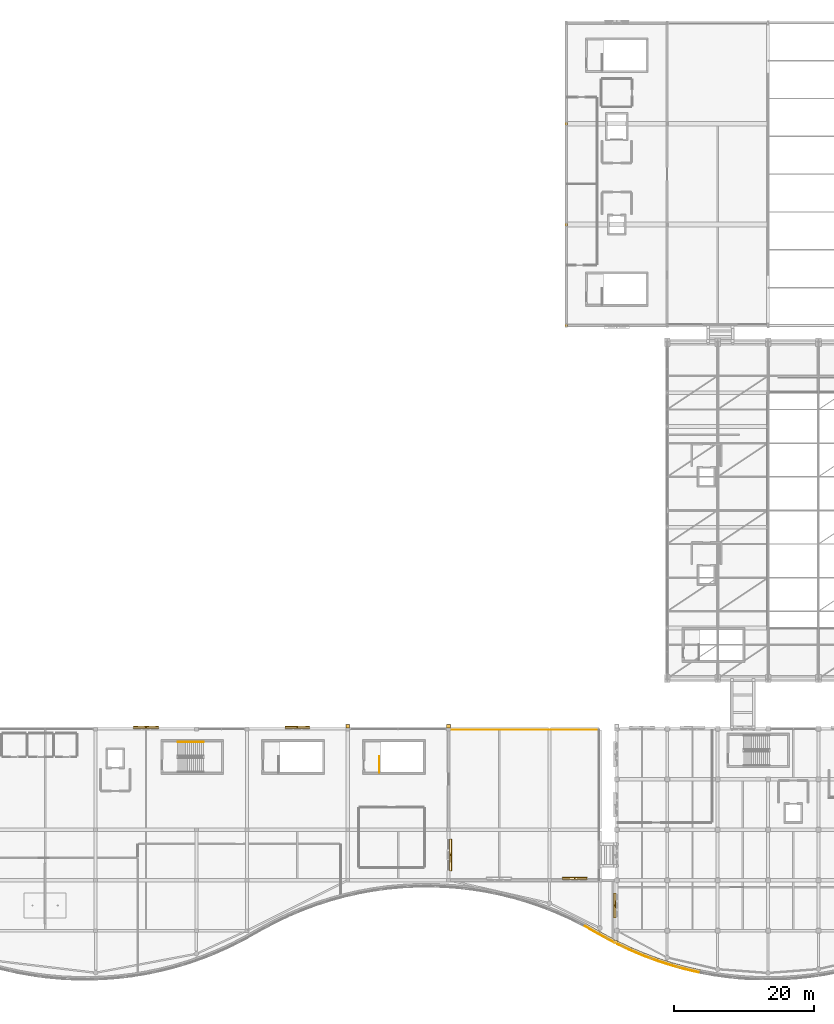
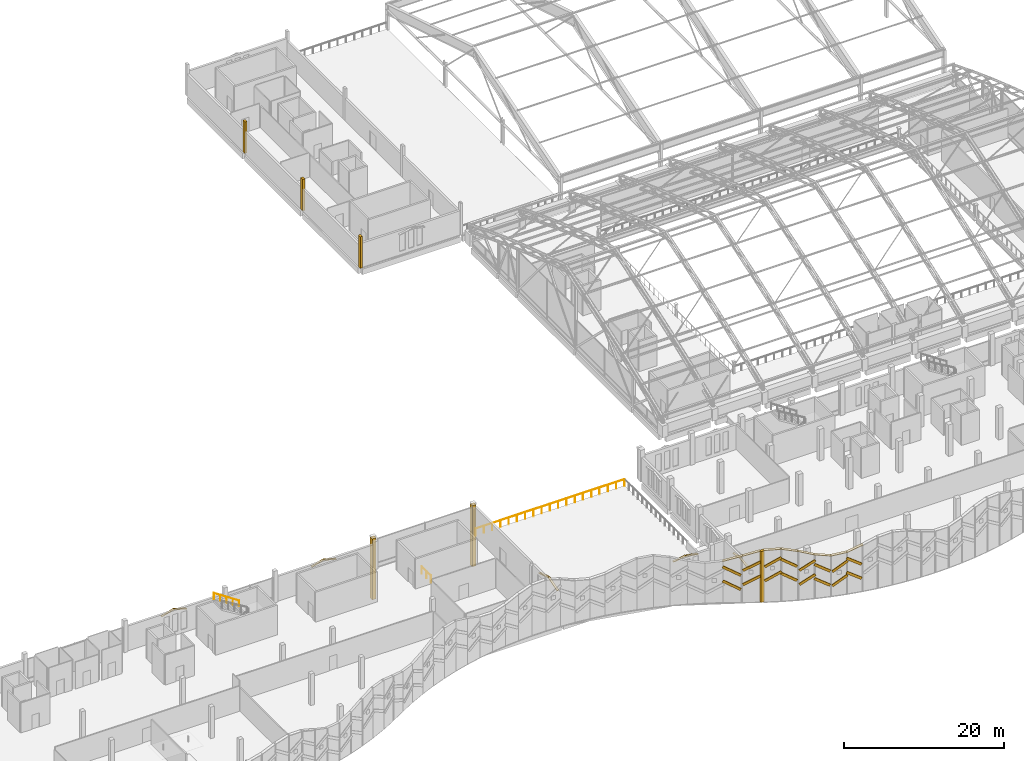
# One storey, part 109 of 116: 40 coverings, 3 railings.
"""IFC4 building model written with IfcOpenShell, lengths in metres."""

import ifcopenshell
import ifcopenshell.guid

model = None  # the IFC model being written
_history = None  # IfcOwnerHistory: only IFC2X3 demands one
_inside = {}  # id of a spatial element -> (the spatial element, [elements in it])
_under = {}  # id of a project, library or spatial element -> (it, [spatial elements below it])
_declared = {}  # id of a project -> (the project, [libraries it declares])
_typed = {}  # id of a type object -> (the type object, [elements of that type])
_made_of = {}  # id of a material, layer set ... -> (it, [elements and type objects made of it])


def new_model(schema):
    """Start an empty IFC model of exactly this schema.

    Asked for "IFC4X3", IfcOpenShell would pick the latest addendum, in which some entities
    have other attributes; the version numbers below select the first issue.
    IFC2X3 requires an IfcOwnerHistory on every rooted entity: one is made here for all.
    """
    global model, _history
    if schema == "IFC4X3":
        model = ifcopenshell.file(schema_version=(4, 3, 0, 0))
    else:
        model = ifcopenshell.file(schema=schema)
    _inside.clear()
    _under.clear()
    _declared.clear()
    _typed.clear()
    _made_of.clear()
    _history = None
    if model.schema == "IFC2X3":
        org = make("IfcOrganization", Name="unknown")
        user = make(
            "IfcPersonAndOrganization",
            ThePerson=make("IfcPerson", FamilyName="unknown"),
            TheOrganization=org,
        )
        app = make(
            "IfcApplication",
            ApplicationDeveloper=org,
            Version="unknown",
            ApplicationFullName="unknown",
            ApplicationIdentifier="unknown",
        )
        _history = make(
            "IfcOwnerHistory",
            OwningUser=user,
            OwningApplication=app,
            ChangeAction="ADDED",
            CreationDate=0,
        )
    return model


def make(cls, **values):
    """One entity of the class cls with the attributes given. An attribute that is None is left unset."""
    return model.create_entity(
        cls, **{name: value for name, value in values.items() if value is not None}
    )


def rooted(cls, **values):
    """An entity with a GlobalId (a new one), such as an element, a storey or a relation."""
    return make(cls, GlobalId=ifcopenshell.guid.new(), OwnerHistory=_history, **values)


def si_unit(unit_type, name, prefix=None):
    """IfcSIUnit, for example si_unit("LENGTHUNIT", "METRE", prefix="MILLI")."""
    return make("IfcSIUnit", UnitType=unit_type, Prefix=prefix, Name=name)


def assignment(units):
    """IfcUnitAssignment: the units of a project."""
    return None if units is None else make("IfcUnitAssignment", Units=units)


def point(xyz):
    """IfcCartesianPoint."""
    return None if xyz is None else make("IfcCartesianPoint", Coordinates=xyz)


def direction(xyz):
    """IfcDirection."""
    return None if xyz is None else make("IfcDirection", DirectionRatios=xyz)


def frame(location, z_axis=None, x_axis=None):
    """IfcAxis2Placement3D, a coordinate frame: its origin and axes. An axis left out is left unset."""
    return make(
        "IfcAxis2Placement3D",
        Location=point(location),
        Axis=direction(z_axis),
        RefDirection=direction(x_axis),
    )


def frame_2d(location, x_axis=None):
    """IfcAxis2Placement2D, a coordinate frame in the plane: its origin and x axis."""
    return make(
        "IfcAxis2Placement2D", Location=point(location), RefDirection=direction(x_axis)
    )


def origin():
    """The frame at (0, 0, 0) with its axes left unset."""
    return frame((0.0, 0.0, 0.0))


def origin_2d():
    """The frame at (0, 0) in the plane with its x axis left unset."""
    return frame_2d((0.0, 0.0))


def place(relative_to, where):
    """IfcLocalPlacement: puts the frame where relative to a parent placement (None: the world)."""
    return make(
        "IfcLocalPlacement", PlacementRelTo=relative_to, RelativePlacement=where
    )


def context(
    kind, dimensions, precision=None, world=None, true_north=None, identifier=None
):
    """IfcGeometricRepresentationContext, for example the 3D "Model" context."""
    return make(
        "IfcGeometricRepresentationContext",
        ContextIdentifier=identifier,
        ContextType=kind,
        CoordinateSpaceDimension=dimensions,
        Precision=precision,
        WorldCoordinateSystem=world,
        TrueNorth=true_north,
    )


def subcontext(parent, identifier, kind, view, scale=None):
    """IfcGeometricRepresentationSubContext, for example "Body" below "Model"."""
    return make(
        "IfcGeometricRepresentationSubContext",
        ContextIdentifier=identifier,
        ContextType=kind,
        ParentContext=parent,
        TargetScale=scale,
        TargetView=view,
    )


def project(units=None, contexts=None):
    """IfcProject with its units and contexts."""
    return rooted(
        "IfcProject",
        Name="project",
        RepresentationContexts=contexts,
        UnitsInContext=assignment(units),
    )


def spatial(cls, under=None, at=None, **own):
    """A site, building, storey or space (cls), placed at a placement, below another one or the project."""
    s = rooted(cls, ObjectPlacement=at, **own)
    if under is not None:
        _under.setdefault(under.id(), (under, []))[1].append(s)
    return s


def polyline(points):
    """IfcPolyline through the points."""
    return make("IfcPolyline", Points=[point(p) for p in points])


def profile(cls, at=None, kind="AREA", **sizes):
    """A parametric profile (cls). Its sizes go by their IFC names, for example OverallWidth=200.0."""
    return make(cls, ProfileType=kind, Position=at, **sizes)


def circle(**sizes):
    """IfcCircleProfileDef."""
    return profile("IfcCircleProfileDef", **sizes)


def outline(outer, holes=None, kind="AREA"):
    """IfcArbitraryClosedProfileDef: a profile drawn as a closed curve; with holes, ...WithVoids."""
    if holes is None:
        return make("IfcArbitraryClosedProfileDef", ProfileType=kind, OuterCurve=outer)
    return make(
        "IfcArbitraryProfileDefWithVoids",
        ProfileType=kind,
        OuterCurve=outer,
        InnerCurves=holes,
    )


def extrude(swept, where, along, depth):
    """IfcExtrudedAreaSolid: the profile swept, set in the frame where, extruded along a direction by depth."""
    return make(
        "IfcExtrudedAreaSolid",
        SweptArea=swept,
        Position=where,
        ExtrudedDirection=direction(along),
        Depth=depth,
    )


def shape(context_of_items, identifier, shape_type, items):
    """IfcShapeRepresentation: the items that make up one representation, for example the "Body"."""
    return make(
        "IfcShapeRepresentation",
        ContextOfItems=context_of_items,
        RepresentationIdentifier=identifier,
        RepresentationType=shape_type,
        Items=items,
    )


def material(Name=None, Category=None):
    """IfcMaterial."""
    return make("IfcMaterial", Name=Name, Category=Category)


def layer(
    of_material, thickness, ventilated=None, Name=None, Category=None, Priority=None
):
    """IfcMaterialLayer: one layer of a wall or slab, of a material (None: an air gap)."""
    return make(
        "IfcMaterialLayer",
        Material=of_material,
        LayerThickness=thickness,
        IsVentilated=ventilated,
        Name=Name,
        Category=Category,
        Priority=Priority,
    )


def layer_set(layers, Name=None):
    """IfcMaterialLayerSet."""
    return make("IfcMaterialLayerSet", MaterialLayers=layers, LayerSetName=Name)


def made_of(thing, what):
    """Note that an element or type object is made of a material, layer set ...; save() writes the relation."""
    if what is not None:
        _made_of.setdefault(what.id(), (what, []))[1].append(thing)
    return thing


def type_object(cls, material=None, **own):
    """A type object (cls), such as IfcWallType, which elements share."""
    return made_of(rooted(cls, **own), material)


def element(
    cls,
    number,
    at=None,
    inside=None,
    cuts=None,
    type_object=None,
    material=None,
    context=None,
    identifier="Body",
    shape_type=None,
    held_by="IfcProductDefinitionShape",
    body=None,
    shapes=None,
    **own,
):
    """One element of the class cls, such as IfcWall. Its Tag is "e" and its number.

    at: its placement. inside: the storey or other place that contains it. cuts: it is an
    opening in that element (IfcRelVoidsElement). A single representation is given by context,
    identifier, shape_type and body (its items); several are given by shapes. held_by: the class
    of the entity that holds the representations. save() writes the other relations.
    """
    e = rooted(cls, Tag="e%d" % number, ObjectPlacement=at, **own)
    if body is not None:
        shapes = [shape(context, identifier, shape_type, body)]
    if shapes is not None:
        e.Representation = make(held_by, Representations=shapes)
    if inside is not None:
        _inside.setdefault(inside.id(), (inside, []))[1].append(e)
    if cuts is not None:
        rooted(
            "IfcRelVoidsElement", RelatingBuildingElement=cuts, RelatedOpeningElement=e
        )
    if type_object is not None:
        _typed.setdefault(type_object.id(), (type_object, []))[1].append(e)
    return made_of(e, material)


def aggregate(whole, parts):
    """IfcRelAggregates: a whole, such as a stair, and the parts it consists of."""
    return rooted("IfcRelAggregates", RelatingObject=whole, RelatedObjects=parts)


def save(model, path):
    """Write the relations noted so far, then the file.

    IfcRelAggregates (storeys below a building ...), IfcRelContainedInSpatialStructure (elements
    in a storey), IfcRelDefinesByType, IfcRelAssociatesMaterial and IfcRelDeclares: one each for
    every whole, place, type object, material and project.
    """
    for whole, parts in _under.values():
        aggregate(whole, parts)
    for where, things in _inside.values():
        rooted(
            "IfcRelContainedInSpatialStructure",
            RelatedElements=things,
            RelatingStructure=where,
        )
    for kind, things in _typed.values():
        rooted("IfcRelDefinesByType", RelatedObjects=things, RelatingType=kind)
    for what, things in _made_of.values():
        rooted("IfcRelAssociatesMaterial", RelatedObjects=things, RelatingMaterial=what)
    for by, libraries in _declared.values():
        rooted("IfcRelDeclares", RelatingContext=by, RelatedDefinitions=libraries)
    model.write(path)


model = new_model("IFC4")

# Units and contexts
model_context = context("Model", 3, precision=1e-05, world=origin(), true_north=direction((0.0, 1.0)))
body_context = subcontext(model_context, "Body", "Model", "MODEL_VIEW")
ifc_project = project(units=[si_unit("LENGTHUNIT", "METRE"), si_unit("AREAUNIT", "SQUARE_METRE"), si_unit("VOLUMEUNIT", "CUBIC_METRE"), si_unit("PLANEANGLEUNIT", "RADIAN"), si_unit("MASSUNIT", "GRAM", prefix="KILO")], contexts=[model_context])

# Site, building, storey
site_placement = place(None, origin())
site = spatial("IfcSite", under=ifc_project, at=site_placement, CompositionType="ELEMENT")
building_placement = place(site_placement, origin())
building = spatial("IfcBuilding", under=site, at=building_placement, Name="Cendralis Lancet Convention Centre", CompositionType="ELEMENT")
storey_placement = place(building_placement, frame((0.0, 0.0, 15.0)))
storey = spatial("IfcBuildingStorey", under=building, at=storey_placement, Name="L03", CompositionType="ELEMENT", Elevation=15.0)

# Coverings
ifc_material_1 = material(Name="Warm buff sandstone chevron cassette", Category="masonry")
ifc_layer_1 = layer(ifc_material_1, 0.06005859375, Name="Warm buff sandstone chevron cassette")
ifc_layer_set_1 = layer_set([ifc_layer_1], Name="Warm buff sandstone chevron cassette")
covering_type_1 = type_object("IfcCoveringType", Name="ARC-CV-CLAD1", PredefinedType="CLADDING", material=ifc_layer_set_1)
covering_1_placement = place(storey_placement, frame((127.493896484375, 7.744873046875, 3.470947265625), z_axis=(0.43519160161, -0.24701564122, 0.86578954884), x_axis=(0.752668265034, -0.427880952395, -0.500408206756)))
element("IfcCovering", 1, at=covering_1_placement, inside=storey, type_object=covering_type_1, Name="L03 Diagonal Stone Chevron Relief CL-ST1 #0383", PredefinedType="CLADDING", context=body_context, shape_type="SweptSolid", body=[
    extrude(outline(polyline([(0.0, 0.0), (2.597884719698433, -4.85722573273506e-17), (2.5979129642696104, 0.11010524008823802), (-0.00015551232946595106, 0.10998461911392274), (0.0, 0.0)])), origin(), (0.0, 0.0, -1.0), 0.360107421875),
])
covering_2_placement = place(storey_placement, frame((129.523681640625, 6.592041015625, 2.89501953125), z_axis=(-0.443383844109, 0.240726076979, 0.8634012524), x_axis=(0.758529479804, -0.412425534048, 0.504517796647)))
element("IfcCovering", 2, at=covering_2_placement, inside=storey, type_object=covering_type_1, Name="L03 Diagonal Stone Chevron Relief CL-ST1 #0389", PredefinedType="CLADDING", context=body_context, shape_type="SweptSolid", body=[
    extrude(outline(polyline([(0.0, 0.0), (2.576814607462595, -5.898059818321144e-17), (2.57675682588909, 0.11000992383021563), (-5.7781573504639416e-05, 0.11000992383021567), (0.0, 0.0)])), origin(), (0.0, 0.0, -1.0), 0.360107421875),
])
covering_3_placement = place(storey_placement, frame((131.922607421875, 5.303466796875, 3.405029296875), z_axis=(-0.475722680039, 0.225588396185, 0.85017516266), x_axis=(0.768146115282, -0.364347848476, 0.526499943863)))
element("IfcCovering", 3, at=covering_3_placement, inside=storey, type_object=covering_type_1, Name="L03 Diagonal Stone Chevron Relief CL-ST1 #0395", PredefinedType="CLADDING", context=body_context, shape_type="SweptSolid", body=[
    extrude(outline(polyline([(0.0, 0.0), (2.469228806721707, -3.105561597813167e-17), (2.46921968219033, 0.10997119228407112), (-9.124531377482925e-06, 0.1099711922840711), (0.0, 0.0)])), origin(), (0.0, 0.0, -1.0), 0.360107421875),
])
covering_4_placement = place(storey_placement, frame((133.903076171875, 4.3662109375, 4.47412109375), z_axis=(0.492533000952, -0.207444705575, 0.845208812721), x_axis=(0.779104660725, -0.327679594694, -0.53443616163)))
element("IfcCovering", 4, at=covering_4_placement, inside=storey, type_object=covering_type_1, Name="L03 Diagonal Stone Chevron Relief CL-ST1 #0401", PredefinedType="CLADDING", context=body_context, shape_type="SweptSolid", body=[
    extrude(outline(polyline([(0.0, 0.0), (2.4326015426180643, -5.97395397039513e-17), (2.4326085260737225, 0.11018317912676806), (8.698335670653812e-05, 0.10995814651646971), (0.0, 0.0)])), origin(), (0.0, 0.0, -1.0), 0.360107421875),
])
covering_5_placement = place(storey_placement, frame((135.8837890625, 3.535400390625, 2.52587890625), z_axis=(-0.507780276256, 0.18726648486, 0.840886707407), x_axis=(0.788897872123, -0.291085223623, 0.541211178698)))
element("IfcCovering", 5, at=covering_5_placement, inside=storey, type_object=covering_type_1, Name="L03 Diagonal Stone Chevron Relief CL-ST1 #0407", PredefinedType="CLADDING", context=body_context, shape_type="SweptSolid", body=[
    extrude(outline(polyline([(0.0, 0.0), (2.402110080674847, -4.255493527005605e-17), (2.40209519260325, 0.11007060415303944), (-1.488807159711475e-05, 0.11007060415303944), (0.0, 0.0)])), origin(), (0.0, 0.0, -1.0), 0.360107421875),
])
covering_6_placement = place(storey_placement, frame((137.864990234375, 2.806396484375, 3.2099609375), z_axis=(0.521034863951, -0.167605620572, 0.836917574496), x_axis=(0.7968902502, -0.25572848478, -0.547328851066)))
element("IfcCovering", 6, at=covering_6_placement, inside=storey, type_object=covering_type_1, Name="L03 Diagonal Stone Chevron Relief CL-ST1 #0413", PredefinedType="CLADDING", context=body_context, shape_type="SweptSolid", body=[
    extrude(outline(polyline([(0.0, 0.0), (2.375260915980276, 1.6333505728494124e-16), (2.375325206643625, 0.11002183942709215), (6.42906633486727e-05, 0.11002183942709198), (0.0, 0.0)])), origin(), (0.0, 0.0, -1.0), 0.360107421875),
])
covering_7_placement = place(storey_placement, frame((139.845458984375, 2.1728515625, 1.760009765625), z_axis=(-0.532755676601, 0.14607816939, 0.833566168626), x_axis=(0.80388726302, -0.220449146202, 0.552419625188)))
element("IfcCovering", 7, at=covering_7_placement, inside=storey, type_object=covering_type_1, Name="L03 Diagonal Stone Chevron Relief CL-ST1 #0419", PredefinedType="CLADDING", context=body_context, shape_type="SweptSolid", body=[
    extrude(outline(polyline([(0.0, 0.0), (2.3533719094111722, 2.0837010502455788e-17), (2.353368895458001, 0.10986789265701721), (-3.0139531707260026e-06, 0.10986789265701727), (0.0, 0.0)])), origin(), (0.0, 0.0, -1.0), 0.360107421875),
])
covering_8_placement = place(storey_placement, frame((141.82568359375, 1.6318359375, 3.488037109375), z_axis=(0.542527889255, -0.124676488771, 0.830734170796), x_axis=(0.809746338666, -0.185553799789, -0.556669250454)))
element("IfcCovering", 8, at=covering_8_placement, inside=storey, type_object=covering_type_1, Name="L03 Diagonal Stone Chevron Relief CL-ST1 #0425", PredefinedType="CLADDING", context=body_context, shape_type="SweptSolid", body=[
    extrude(outline(polyline([(0.0, 0.0), (2.3354289288572163, -1.1069704181077e-16), (2.3354632814690657, 0.1102156286473947), (7.965383250090746e-05, 0.10997766659986817), (0.0, 0.0)])), origin(), (0.0, 0.0, -1.0), 0.360107421875),
])
covering_9_placement = place(storey_placement, origin())
element("IfcCovering", 9, at=covering_9_placement, inside=storey, type_object=covering_type_1, Name="L03 Wave Ribbon 200mm Seismic-Joint Stone Cover Strip", PredefinedType="CLADDING", context=body_context, shape_type="SweptSolid", body=[
    extrude(outline(polyline([(131.5400390625, 5.431396484375), (132.080078125, 5.431396484375), (132.080078125, 5.8115234375), (131.5400390625, 5.8115234375), (131.5400390625, 5.431396484375)])), origin(), (0.0, 0.0, 1.0), 7.77490234375),
])
for number, where, z_axis, x_axis, name in (
    (10, (63.0, 36.419921875, 3.27001953125), (-0.261446137658, 0.0, 0.965218067125), (0.0, -1.0, 0.0), "L03 Gothic Pointed Lancet Hood-Mould #0285L"),
    (11, (64.81005859375, 36.419921875, 3.7548828125), (0.261446137658, 0.0, 0.965218067125), (0.0, -1.0, 0.0), "L03 Gothic Pointed Lancet Hood-Mould #0286R"),
):
    element("IfcCovering", number, at=place(storey_placement, frame(where, z_axis=z_axis, x_axis=x_axis)), inside=storey, type_object=covering_type_1, Name=name, PredefinedType="CLADDING", context=body_context, shape_type="SweptSolid", body=[
        extrude(outline(polyline([(0.0, 0.0), (0.284912109375, 0.0), (0.284912109375, 1.854543676158746), (0.0, 1.854543676158746), (0.0, 0.0)])), origin(), (0.0, 0.0, -1.0), 0.090087890625),
    ])
for number, where, z_axis, x_axis, name in (
    (12, (84.639892578125, 36.419921875, 3.27001953125), (-0.267005870064, 0.0, 0.963694902628), (0.0, -1.0, 0.0), "L03 Gothic Pointed Lancet Hood-Mould #0287L"),
    (13, (86.409912109375, 36.419921875, 3.7548828125), (0.267005870064, 0.0, 0.963694902628), (0.0, -1.0, 0.0), "L03 Gothic Pointed Lancet Hood-Mould #0288R"),
):
    element("IfcCovering", number, at=place(storey_placement, frame(where, z_axis=z_axis, x_axis=x_axis)), inside=storey, type_object=covering_type_1, Name=name, PredefinedType="CLADDING", context=body_context, shape_type="SweptSolid", body=[
        extrude(outline(polyline([(0.0, 0.0), (0.284912109375, 0.0), (0.284912109375, 1.8159274218714019), (0.0, 1.8159274218714019), (0.0, 0.0)])), origin(), (0.0, 0.0, -1.0), 0.090087890625),
    ])
for number, where, z_axis, x_axis, name in (
    (14, (124.239990234375, 14.820068359375, 3.27001953125), (-0.149662363498, 0.0, 0.988737162724), (0.0, -1.0, 0.0), "L03 Gothic Pointed Lancet Hood-Mould #0299L"),
    (15, (126.010009765625, 14.820068359375, 3.534912109375), (0.149662363498, 0.0, 0.988737162724), (0.0, -1.0, 0.0), "L03 Gothic Pointed Lancet Hood-Mould #0300R"),
):
    element("IfcCovering", number, at=place(storey_placement, frame(where, z_axis=z_axis, x_axis=x_axis)), inside=storey, type_object=covering_type_1, Name=name, PredefinedType="CLADDING", context=body_context, shape_type="SweptSolid", body=[
        extrude(outline(polyline([(0.0, 0.0), (0.28515625, 0.0), (0.28515625, 1.769934484082874), (0.0, 1.769934484082874), (0.0, 0.0)])), origin(), (0.0, 0.0, -1.0), 0.090087890625),
    ])
for number, where, z_axis, x_axis, name in (
    (16, (108.419921875, 20.260009765625, 3.800048828125), (0.0, 0.285362773646, 0.95841957796), (-1.0, 0.0, 0.0), "L03 Gothic Pointed Lancet Hood-Mould #0301L"),
    (17, (108.419921875, 17.989990234375, 4.469970703125), (0.0, -0.285362773646, 0.95841957796), (-1.0, 0.0, 0.0), "L03 Gothic Pointed Lancet Hood-Mould #0302R"),
):
    element("IfcCovering", number, at=place(storey_placement, frame(where, z_axis=z_axis, x_axis=x_axis)), inside=storey, type_object=covering_type_1, Name=name, PredefinedType="CLADDING", context=body_context, shape_type="SweptSolid", body=[
        extrude(outline(polyline([(0.0, 0.0), (0.284912109375, 0.0), (0.284912109375, 2.3476148147861724), (0.0, 2.3476148147861724), (0.0, 0.0)])), origin(), (0.0, 0.0, -1.0), 0.090087890625),
    ])
covering_10_placement = place(storey_placement, frame((0.0, 0.0, -4.800048828125)))
element("IfcCovering", 18, at=covering_10_placement, inside=storey, type_object=covering_type_1, Name="Gothic Stepped Stone Buttress Shaft #0074", PredefinedType="CLADDING", context=body_context, shape_type="SweptSolid", body=[
    extrude(outline(polyline([(93.8798828125, 36.659912109375), (93.320068359375, 36.659912109375), (93.320068359375, 36.1298828125), (93.8798828125, 36.1298828125), (93.8798828125, 36.659912109375)])), origin(), (0.0, 0.0, 1.0), 9.300048828125),
])
covering_11_placement = place(storey_placement, frame((0.0, 0.0, -4.800048828125)))
element("IfcCovering", 19, at=covering_11_placement, inside=storey, type_object=covering_type_1, Name="Gothic Stepped Stone Buttress Shaft #0075", PredefinedType="CLADDING", context=body_context, shape_type="SweptSolid", body=[
    extrude(outline(polyline([(108.280029296875, 36.659912109375), (107.719970703125, 36.659912109375), (107.719970703125, 36.1298828125), (108.280029296875, 36.1298828125), (108.280029296875, 36.659912109375)])), origin(), (0.0, 0.0, 1.0), 9.300048828125),
])
for number, where, z_axis, x_axis, name in (
    (20, (131.580078125, 9.0400390625, 3.27001953125), (0.0, -0.149662363498, 0.988737162724), (1.0, 0.0, 0.0), "L03 Gothic Pointed Lancet Hood-Mould #0397L"),
    (21, (131.580078125, 10.81005859375, 3.534912109375), (0.0, 0.149662363498, 0.988737162724), (1.0, 0.0, 0.0), "L03 Gothic Pointed Lancet Hood-Mould #0398R"),
):
    element("IfcCovering", number, at=place(storey_placement, frame(where, z_axis=z_axis, x_axis=x_axis)), inside=storey, type_object=covering_type_1, Name=name, PredefinedType="CLADDING", context=body_context, shape_type="SweptSolid", body=[
        extrude(outline(polyline([(0.0, 0.0), (0.284912109375, 0.0), (0.284912109375, 1.7699344840828741), (0.0, 1.7699344840828741), (0.0, 0.0)])), origin(), (0.0, 0.0, -1.0), 0.090087890625),
    ])
covering_12_placement = place(storey_placement, origin())
element("IfcCovering", 22, at=covering_12_placement, inside=storey, type_object=covering_type_1, Name="Exterior Column Stone Fire-Casing L03 #035", PredefinedType="CLADDING", context=body_context, shape_type="SweptSolid", body=[
    extrude(outline(polyline([(124.637939453125, 93.363037109375), (124.9619140625, 93.363037109375), (124.9619140625, 93.8369140625), (124.637939453125, 93.8369140625), (124.637939453125, 93.363037109375)])), origin(), (0.0, 0.0, 1.0), 4.800048828125),
])
covering_13_placement = place(storey_placement, origin())
element("IfcCovering", 23, at=covering_13_placement, inside=storey, type_object=covering_type_1, Name="Exterior Column Stone Fire-Casing L03 #038", PredefinedType="CLADDING", context=body_context, shape_type="SweptSolid", body=[
    extrude(outline(polyline([(124.637939453125, 107.762939453125), (124.9619140625, 107.762939453125), (124.9619140625, 108.237060546875), (124.637939453125, 108.237060546875), (124.637939453125, 107.762939453125)])), origin(), (0.0, 0.0, 1.0), 4.800048828125),
])
covering_14_placement = place(storey_placement, origin())
element("IfcCovering", 24, at=covering_14_placement, inside=storey, type_object=covering_type_1, Name="Exterior Column Stone Fire-Casing L03 #041", PredefinedType="CLADDING", context=body_context, shape_type="SweptSolid", body=[
    extrude(outline(polyline([(124.637939453125, 122.1630859375), (124.9619140625, 122.1630859375), (124.9619140625, 122.636962890625), (124.637939453125, 122.636962890625), (124.637939453125, 122.1630859375)])), origin(), (0.0, 0.0, 1.0), 4.800048828125),
])
ifc_material_2 = material(Name="Dark Andean slate chevron cassette", Category="masonry")
ifc_layer_2 = layer(ifc_material_2, 0.06005859375, Name="Dark Andean slate chevron cassette")
ifc_layer_set_2 = layer_set([ifc_layer_2], Name="Dark Andean slate chevron cassette")
covering_type_2 = type_object("IfcCoveringType", Name="ARC-CV-CLAD2", PredefinedType="CLADDING", material=ifc_layer_set_2)
covering_15_placement = place(storey_placement, frame((127.407470703125, 7.845703125, 6.277099609375), z_axis=(-0.264499218838, 0.150283647067, 0.952604319042), x_axis=(0.828138131123, -0.470788943179, 0.304212108174)))
element("IfcCovering", 25, at=covering_15_placement, inside=storey, type_object=covering_type_2, Name="Wave Ribbon Sinusoidal Slate Coping W-063", PredefinedType="CLADDING", context=body_context, shape_type="SweptSolid", body=[
    extrude(outline(polyline([(0.0, 0.0), (2.6234843442459557, 1.3749038799831803e-16), (2.623390875607904, 0.42007201263054184), (-9.346863805145822e-05, 0.4200720126305418), (0.0, 0.0)])), origin(), (0.0, 0.0, -1.0), 0.06005859375),
])
covering_16_placement = place(storey_placement, frame((127.493896484375, 7.744873046875, 5.62109375), z_axis=(0.43519160161, -0.24701564122, 0.86578954884), x_axis=(0.752668265034, -0.427880952395, -0.500408206756)))
element("IfcCovering", 26, at=covering_16_placement, inside=storey, type_object=covering_type_2, Name="L03 Diagonal Stone Chevron Relief CL-ST2 #0384", PredefinedType="CLADDING", context=body_context, shape_type="SweptSolid", body=[
    extrude(outline(polyline([(0.0, 0.0), (2.597884719698433, -4.85722573273506e-17), (2.5979129642696104, 0.11010524008823802), (-0.00015551232946595106, 0.10998461911392274), (0.0, 0.0)])), origin(), (0.0, 0.0, -1.0), 0.360107421875),
])
covering_17_placement = place(storey_placement, frame((129.435302734375, 6.69140625, 7.0126953125), z_axis=(-0.270730884711, 0.147190881397, 0.951335709672), x_axis=(0.835781763236, -0.454432037631, 0.3081564009)))
element("IfcCovering", 27, at=covering_17_placement, inside=storey, type_object=covering_type_2, Name="Wave Ribbon Sinusoidal Slate Coping W-064", PredefinedType="CLADDING", context=body_context, shape_type="SweptSolid", body=[
    extrude(outline(polyline([(0.0, 0.0), (2.5121609665652582, -5.72390984436566e-17), (2.5122502733326604, 0.4199506065202993), (-0.00011474151463777837, 0.4198339865893241), (0.0, 0.0)])), origin(), (0.0, 0.0, -1.0), 0.06005859375),
])
covering_18_placement = place(storey_placement, frame((129.523681640625, 6.592041015625, 5.044921875), z_axis=(-0.443383844109, 0.240726076979, 0.8634012524), x_axis=(0.758529479804, -0.412425534048, 0.504517796647)))
element("IfcCovering", 28, at=covering_18_placement, inside=storey, type_object=covering_type_2, Name="L03 Diagonal Stone Chevron Relief CL-ST2 #0390", PredefinedType="CLADDING", context=body_context, shape_type="SweptSolid", body=[
    extrude(outline(polyline([(0.0, 0.0), (2.576814607462595, -5.898059818321144e-17), (2.57675682588909, 0.11000992383021563), (-5.7781573504639416e-05, 0.11000992383021567), (0.0, 0.0)])), origin(), (0.0, 0.0, -1.0), 0.360107421875),
])
covering_19_placement = place(storey_placement, frame((131.90576171875, 5.361083984375, 7.873046875), z_axis=(-0.029598958805, 0.014042606702, 0.999463209345), x_axis=(0.903044135452, -0.428296621837, 0.032761153057)))
element("IfcCovering", 29, at=covering_19_placement, inside=storey, type_object=covering_type_2, Name="Wave Ribbon Sinusoidal Slate Coping E-000", PredefinedType="CLADDING", context=body_context, shape_type="SweptSolid", body=[
    extrude(outline(polyline([(0.0, 0.0), (2.2652873478168662, 1.6816653321607977e-16), (2.2655006343473345, 0.4200041392319018), (-0.00011174783410397571, 0.4201201065946013), (0.0, 0.0)])), origin(), (0.0, 0.0, -1.0), 0.06005859375),
])
covering_20_placement = place(storey_placement, frame((131.922607421875, 5.303466796875, 5.554931640625), z_axis=(-0.475722680039, 0.225588396185, 0.85017516266), x_axis=(0.768146115282, -0.364347848476, 0.526499943863)))
element("IfcCovering", 30, at=covering_20_placement, inside=storey, type_object=covering_type_2, Name="L03 Diagonal Stone Chevron Relief CL-ST2 #0396", PredefinedType="CLADDING", context=body_context, shape_type="SweptSolid", body=[
    extrude(outline(polyline([(0.0, 0.0), (2.469228806721707, -3.105561597813167e-17), (2.46921968219033, 0.10997119228407112), (-9.124531377482925e-06, 0.1099711922840711), (0.0, 0.0)])), origin(), (0.0, 0.0, -1.0), 0.360107421875),
])
covering_21_placement = place(storey_placement, frame((133.805419921875, 4.4560546875, 7.967529296875), z_axis=(0.223910295238, -0.094095972116, 0.970056765204), x_axis=(0.894226042675, -0.375991907333, -0.242878303317)))
element("IfcCovering", 31, at=covering_21_placement, inside=storey, type_object=covering_type_2, Name="Wave Ribbon Sinusoidal Slate Coping E-001", PredefinedType="CLADDING", context=body_context, shape_type="SweptSolid", body=[
    extrude(outline(polyline([(0.0, 0.0), (2.377182547280484, -2.0655406638564466e-16), (2.3772132126695285, 0.42005563223395675), (-0.00018765151590535711, 0.4199610064128077), (0.0, 0.0)])), origin(), (0.0, 0.0, -1.0), 0.06005859375),
])
covering_22_placement = place(storey_placement, frame((133.903076171875, 4.3662109375, 6.6240234375), z_axis=(0.492533000952, -0.207444705575, 0.845208812721), x_axis=(0.779104660725, -0.327679594694, -0.53443616163)))
element("IfcCovering", 32, at=covering_22_placement, inside=storey, type_object=covering_type_2, Name="L03 Diagonal Stone Chevron Relief CL-ST2 #0402", PredefinedType="CLADDING", context=body_context, shape_type="SweptSolid", body=[
    extrude(outline(polyline([(0.0, 0.0), (2.4326015426180643, -5.97395397039513e-17), (2.4326085260737225, 0.11018317912676806), (8.698335670653812e-05, 0.10995814651646971), (0.0, 0.0)])), origin(), (0.0, 0.0, -1.0), 0.360107421875),
])
covering_23_placement = place(storey_placement, frame((135.781982421875, 3.62109375, 7.4501953125), z_axis=(0.325209746095, -0.120026280632, 0.937993770236), x_axis=(0.8799876376, -0.324736925635, -0.346652112068)))
element("IfcCovering", 33, at=covering_23_placement, inside=storey, type_object=covering_type_2, Name="Wave Ribbon Sinusoidal Slate Coping E-002", PredefinedType="CLADDING", context=body_context, shape_type="SweptSolid", body=[
    extrude(outline(polyline([(0.0, 0.0), (2.4200578572912654, -2.7362552328102918e-17), (2.4199277904938223, 0.41996592208965705), (0.00016405541037756155, 0.4198214032931709), (0.0, 0.0)])), origin(), (0.0, 0.0, -1.0), 0.06005859375),
])
covering_24_placement = place(storey_placement, frame((135.8837890625, 3.535400390625, 4.676025390625), z_axis=(-0.507780276256, 0.18726648486, 0.840886707407), x_axis=(0.788897872123, -0.291085223623, 0.541211178698)))
element("IfcCovering", 34, at=covering_24_placement, inside=storey, type_object=covering_type_2, Name="L03 Diagonal Stone Chevron Relief CL-ST2 #0408", PredefinedType="CLADDING", context=body_context, shape_type="SweptSolid", body=[
    extrude(outline(polyline([(0.0, 0.0), (2.402110080674847, -4.255493527005605e-17), (2.40209519260325, 0.11007060415303944), (-1.488807159711475e-05, 0.11007060415303944), (0.0, 0.0)])), origin(), (0.0, 0.0, -1.0), 0.360107421875),
])
covering_25_placement = place(storey_placement, frame((137.760009765625, 2.887451171875, 6.66943359375), z_axis=(0.211395694064, -0.067819558749, 0.975044803064), x_axis=(0.928397706761, -0.29797662126, -0.222008178372)))
element("IfcCovering", 35, at=covering_25_placement, inside=storey, type_object=covering_type_2, Name="Wave Ribbon Sinusoidal Slate Coping E-003", PredefinedType="CLADDING", context=body_context, shape_type="SweptSolid", body=[
    extrude(outline(polyline([(0.0, 0.0), (2.294943938308534, -6.516393869816783e-17), (2.2950053367783623, 0.42001554113977946), (-0.00016526112654868808, 0.4199409324843377), (0.0, 0.0)])), origin(), (0.0, 0.0, -1.0), 0.06005859375),
])
covering_26_placement = place(storey_placement, frame((137.864990234375, 2.806396484375, 5.360107421875), z_axis=(0.521034863951, -0.167605620572, 0.836917574496), x_axis=(0.7968902502, -0.25572848478, -0.547328851066)))
element("IfcCovering", 36, at=covering_26_placement, inside=storey, type_object=covering_type_2, Name="L03 Diagonal Stone Chevron Relief CL-ST2 #0414", PredefinedType="CLADDING", context=body_context, shape_type="SweptSolid", body=[
    extrude(outline(polyline([(0.0, 0.0), (2.375260915980276, 1.6333505728494124e-16), (2.375325206643625, 0.11002183942709215), (6.42906633486727e-05, 0.11002183942709198), (0.0, 0.0)])), origin(), (0.0, 0.0, -1.0), 0.360107421875),
])
covering_27_placement = place(storey_placement, frame((139.73681640625, 2.249267578125, 6.17431640625), z_axis=(-0.079038045273, 0.021677101024, 0.996635886716), x_axis=(0.961149191864, -0.263581717261, 0.081956752654)))
element("IfcCovering", 37, at=covering_27_placement, inside=storey, type_object=covering_type_2, Name="Wave Ribbon Sinusoidal Slate Coping E-004", PredefinedType="CLADDING", context=body_context, shape_type="SweptSolid", body=[
    extrude(outline(polyline([(0.0, 0.0), (2.219277359520831, 1.2183213693537503e-16), (2.2192873237207165, 0.41998616978705006), (9.964199885498237e-06, 0.41998616978705006), (0.0, 0.0)])), origin(), (0.0, 0.0, -1.0), 0.06005859375),
])
covering_28_placement = place(storey_placement, frame((139.845458984375, 2.1728515625, 3.909912109375), z_axis=(-0.532755676601, 0.14607816939, 0.833566168626), x_axis=(0.80388726302, -0.220449146202, 0.552419625188)))
element("IfcCovering", 38, at=covering_28_placement, inside=storey, type_object=covering_type_2, Name="L03 Diagonal Stone Chevron Relief CL-ST2 #0420", PredefinedType="CLADDING", context=body_context, shape_type="SweptSolid", body=[
    extrude(outline(polyline([(0.0, 0.0), (2.3533719094111722, 2.0837010502455788e-17), (2.353368895458001, 0.10986789265701721), (-3.0139531707260026e-06, 0.10986789265701727), (0.0, 0.0)])), origin(), (0.0, 0.0, -1.0), 0.360107421875),
])
covering_29_placement = place(storey_placement, frame((141.714111328125, 1.70361328125, 6.31494140625), z_axis=(-0.31801718913, 0.07281967837, 0.945284275686), x_axis=(0.921418250285, -0.211070534689, 0.326247815975)))
element("IfcCovering", 39, at=covering_29_placement, inside=storey, type_object=covering_type_2, Name="Wave Ribbon Sinusoidal Slate Coping E-005", PredefinedType="CLADDING", context=body_context, shape_type="SweptSolid", body=[
    extrude(outline(polyline([(0.0, 0.0), (2.3168258544262024, 3.583288180064592e-17), (2.316791509073649, 0.4200201570840694), (-3.434535255342208e-05, 0.42002015708406937), (0.0, 0.0)])), origin(), (0.0, 0.0, -1.0), 0.06005859375),
])
covering_30_placement = place(storey_placement, frame((141.82568359375, 1.6318359375, 5.637939453125), z_axis=(0.542527889255, -0.124676488771, 0.830734170796), x_axis=(0.809746338666, -0.185553799789, -0.556669250454)))
element("IfcCovering", 40, at=covering_30_placement, inside=storey, type_object=covering_type_2, Name="L03 Diagonal Stone Chevron Relief CL-ST2 #0426", PredefinedType="CLADDING", context=body_context, shape_type="SweptSolid", body=[
    extrude(outline(polyline([(0.0, 0.0), (2.3354289288572163, -1.1069704181077e-16), (2.3354632814690657, 0.1102156286473947), (7.965383250090746e-05, 0.10997766659986817), (0.0, 0.0)])), origin(), (0.0, 0.0, -1.0), 0.360107421875),
])

# Railings
ifc_material_3 = material(Name="Anodised bronze architectural aluminium", Category="aluminium")
railing_type_1 = type_object("IfcRailingType", Name="ARC-RL-BL01", PredefinedType="BALUSTRADE", material=ifc_material_3)
railing_1_placement = place(storey_placement, frame((129.47998046875, 35.8798828125, 0.0)))
element("IfcRailing", 41, at=railing_1_placement, inside=storey, type_object=railing_type_1, Name="L03 Terrace Guard BL-01 #05-2", PredefinedType="BALUSTRADE", context=body_context, shape_type="SweptSolid", body=[
    extrude(circle(Radius=0.02392578125, at=origin_2d()), frame((0.0, 0.0, 1.076171875), z_axis=(-1.0, 0.0, 0.0), x_axis=(0.0, -1.0, 0.0)), (0.0, 0.0, 1.0), 21.429931640625),
    extrude(circle(Radius=0.02099609375, at=origin_2d()), origin(), (0.0, 0.0, 1.0), 1.052001953125),
    extrude(circle(Radius=0.02099609375, at=origin_2d()), frame((-1.1904296875, 0.0, 0.0)), (0.0, 0.0, 1.0), 1.052001953125),
    extrude(circle(Radius=0.02099609375, at=origin_2d()), frame((-2.381103515625, 0.0, 0.0)), (0.0, 0.0, 1.0), 1.052001953125),
    extrude(circle(Radius=0.02099609375, at=origin_2d()), frame((-3.57177734375, 0.0, 0.0)), (0.0, 0.0, 1.0), 1.052001953125),
    extrude(circle(Radius=0.02099609375, at=origin_2d()), frame((-4.76220703125, 0.0, 0.0)), (0.0, 0.0, 1.0), 1.052001953125),
    extrude(circle(Radius=0.02099609375, at=origin_2d()), frame((-5.95263671875, 0.0, 0.0)), (0.0, 0.0, 1.0), 1.052001953125),
    extrude(circle(Radius=0.02099609375, at=origin_2d()), frame((-7.143310546875, 0.0, 0.0)), (0.0, 0.0, 1.0), 1.052001953125),
    extrude(circle(Radius=0.02099609375, at=origin_2d()), frame((-8.333984375, 0.0, 0.0)), (0.0, 0.0, 1.0), 1.052001953125),
    extrude(circle(Radius=0.02099609375, at=origin_2d()), frame((-9.5244140625, 0.0, 0.0)), (0.0, 0.0, 1.0), 1.052001953125),
    extrude(circle(Radius=0.02099609375, at=origin_2d()), frame((-10.71484375, 0.0, 0.0)), (0.0, 0.0, 1.0), 1.052001953125),
    extrude(circle(Radius=0.02099609375, at=origin_2d()), frame((-11.905517578125, 0.0, 0.0)), (0.0, 0.0, 1.0), 1.052001953125),
    extrude(circle(Radius=0.02099609375, at=origin_2d()), frame((-13.09619140625, 0.0, 0.0)), (0.0, 0.0, 1.0), 1.052001953125),
    extrude(circle(Radius=0.02099609375, at=origin_2d()), frame((-14.28662109375, 0.0, 0.0)), (0.0, 0.0, 1.0), 1.052001953125),
    extrude(circle(Radius=0.02099609375, at=origin_2d()), frame((-15.47705078125, 0.0, 0.0)), (0.0, 0.0, 1.0), 1.052001953125),
    extrude(circle(Radius=0.02099609375, at=origin_2d()), frame((-16.667724609375, 0.0, 0.0)), (0.0, 0.0, 1.0), 1.052001953125),
    extrude(circle(Radius=0.02099609375, at=origin_2d()), frame((-17.8583984375, 0.0, 0.0)), (0.0, 0.0, 1.0), 1.052001953125),
    extrude(circle(Radius=0.02099609375, at=origin_2d()), frame((-19.048828125, 0.0, 0.0)), (0.0, 0.0, 1.0), 1.052001953125),
    extrude(circle(Radius=0.02099609375, at=origin_2d()), frame((-20.2392578125, 0.0, 0.0)), (0.0, 0.0, 1.0), 1.052001953125),
    extrude(circle(Radius=0.02099609375, at=origin_2d()), frame((-21.429931640625, 0.0, 0.0)), (0.0, 0.0, 1.0), 1.052001953125),
])
ifc_material_4 = material(Name="Steel S355", Category="steel")
railing_type_2 = type_object("IfcRailingType", Name="ARC-RL-CGD", PredefinedType="GUARDRAIL", material=ifc_material_4)
railing_2_placement = place(storey_placement, frame((98.10009765625, 29.800048828125, 0.0)))
element("IfcRailing", 42, at=railing_2_placement, inside=storey, type_object=railing_type_2, Name="L03 ST-18 top well guard 1", PredefinedType="GUARDRAIL", context=body_context, shape_type="SweptSolid", body=[
    extrude(circle(Radius=0.02392578125, at=origin_2d()), frame((0.0, 0.0, 1.076171875), z_axis=(0.0, 1.0, 0.0), x_axis=(-1.0, 0.0, 0.0)), (0.0, 0.0, 1.0), 2.280029296875),
    extrude(circle(Radius=0.02099609375, at=origin_2d()), origin(), (0.0, 0.0, 1.0), 1.052001953125),
    extrude(circle(Radius=0.02099609375, at=origin_2d()), frame((0.0, 1.14013671875, 0.0)), (0.0, 0.0, 1.0), 1.052001953125),
    extrude(circle(Radius=0.02099609375, at=origin_2d()), frame((0.0, 2.280029296875, 0.0)), (0.0, 0.0, 1.0), 1.052001953125),
])
railing_type_3 = type_object("IfcRailingType", Name="ARC-RL-CHR", PredefinedType="HANDRAIL", material=ifc_material_4)
railing_3_placement = place(storey_placement, frame((72.989990234375, 34.1298828125, 2.571533203125)))
element("IfcRailing", 43, at=railing_3_placement, inside=storey, type_object=railing_type_3, Name="L03 ST-12 stair handrail 2", PredefinedType="HANDRAIL", context=body_context, shape_type="SweptSolid", body=[
    extrude(circle(Radius=0.02392578125, at=origin_2d()), frame((0.0, 0.0, 0.8759765625), z_axis=(-0.834865213223, 0.0, 0.550454426587), x_axis=(0.0, -1.0, 0.0)), (0.0, 0.0, 1.0), 4.35986328125),
    extrude(circle(Radius=0.02099609375, at=origin_2d()), origin(), (0.0, 0.0, 1.0), 0.851806640625),
    extrude(circle(Radius=0.02099609375, at=origin_2d()), frame((-0.909912109375, 0.0, 0.60009765625)), (0.0, 0.0, 1.0), 0.851806640625),
    extrude(circle(Radius=0.02099609375, at=origin_2d()), frame((-1.81982421875, 0.0, 1.199951171875)), (0.0, 0.0, 1.0), 0.851806640625),
    extrude(circle(Radius=0.02099609375, at=origin_2d()), frame((-2.72998046875, 0.0, 1.7998046875)), (0.0, 0.0, 1.0), 0.851806640625),
    extrude(circle(Radius=0.02099609375, at=origin_2d()), frame((-3.639892578125, 0.0, 2.39990234375)), (0.0, 0.0, 1.0), 0.851806640625),
])

save(model, "model.ifc")
